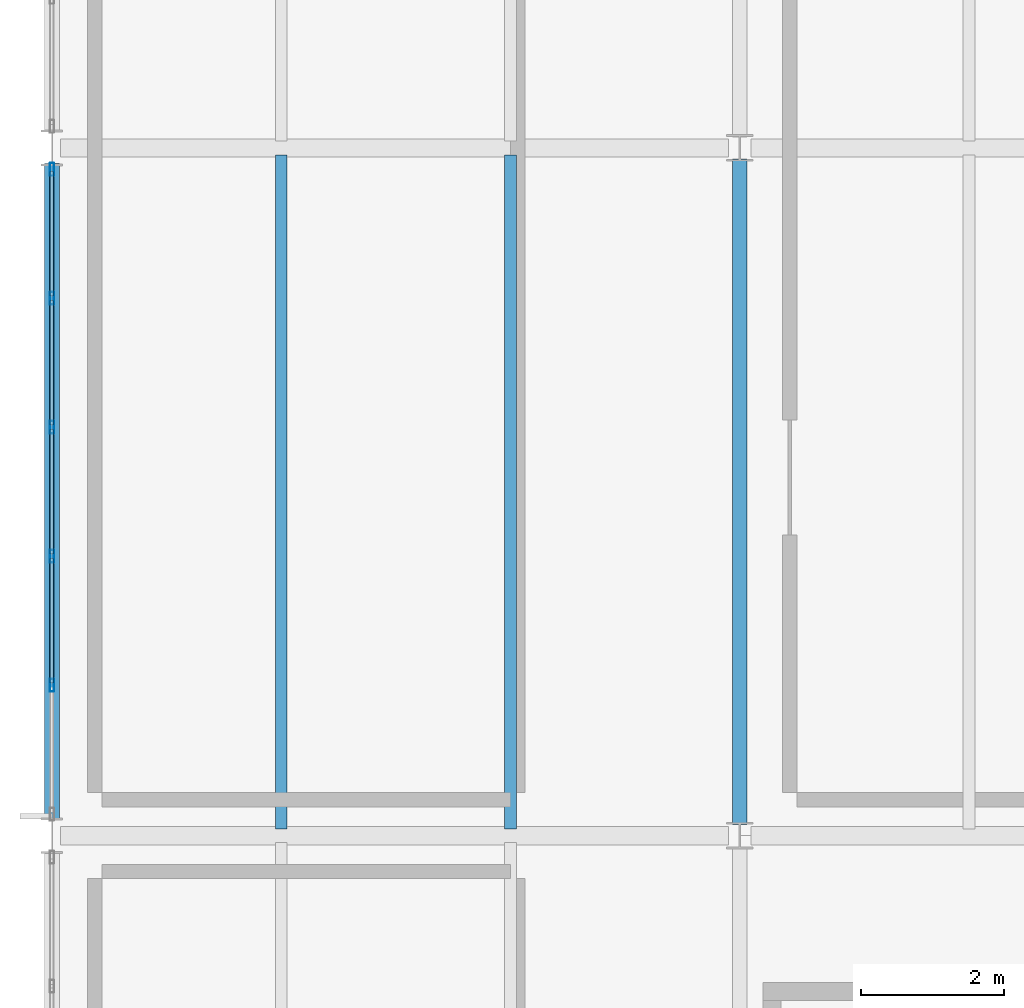
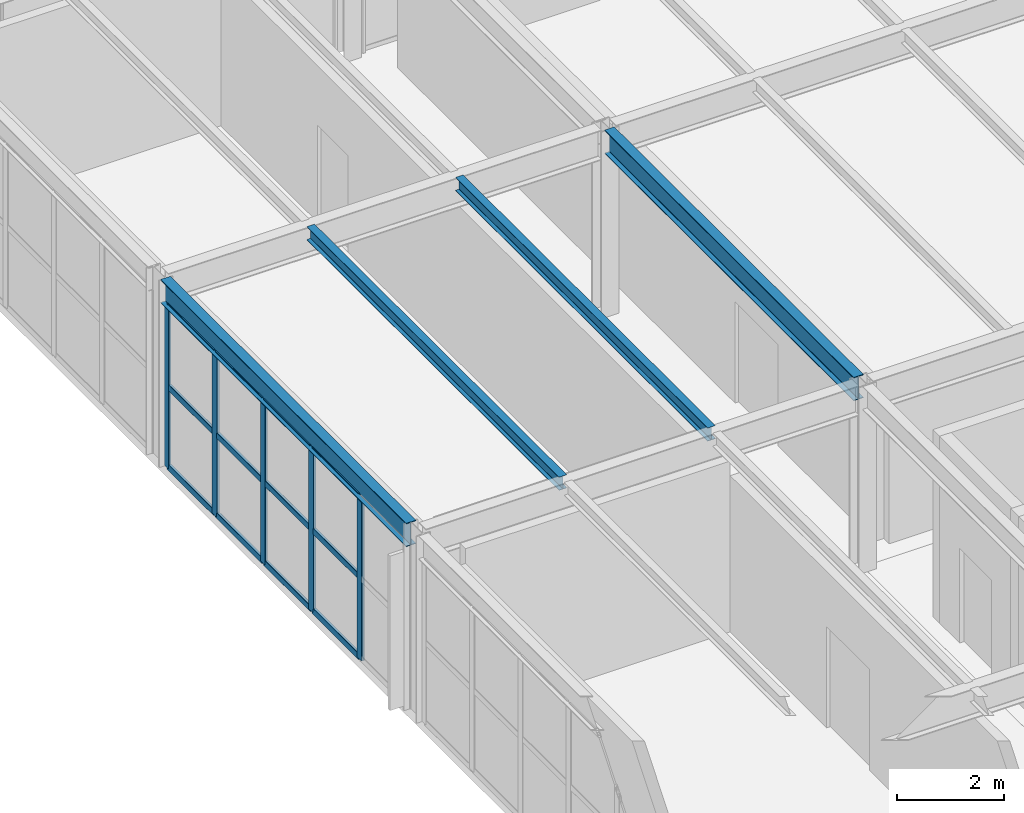
# One storey, part 40 of 170: 17 members, 4 beams, 1 element without a shape of its own.
"""IFC4 building model written with IfcOpenShell, lengths in metres."""

from ifc_helpers import new_model, si_unit, direction, frame, origin, origin_2d, place, context, subcontext, project, spatial, hollow_rectangle, i_section, extrude, material, material_profile, profile_set, type_object, element, aggregate, save


model = new_model("IFC4")

# Units and contexts
model_context = context("Model", 3, precision=1e-05, world=origin(), true_north=direction((0.0, 1.0)))
body_context = subcontext(model_context, "Body", "Model", "MODEL_VIEW")
ifc_project = project(units=[si_unit("LENGTHUNIT", "METRE"), si_unit("AREAUNIT", "SQUARE_METRE"), si_unit("VOLUMEUNIT", "CUBIC_METRE"), si_unit("PLANEANGLEUNIT", "RADIAN"), si_unit("MASSUNIT", "GRAM", prefix="KILO")], contexts=[model_context])

# Site, building, storey
site_placement = place(None, origin())
site = spatial("IfcSite", under=ifc_project, at=site_placement, CompositionType="ELEMENT")
building_placement = place(site_placement, origin())
building = spatial("IfcBuilding", under=site, at=building_placement, Name="Coralgate Yard Interchange", CompositionType="ELEMENT")
storey_placement = place(building_placement, frame((0.0, 0.0, 6.0)))
storey = spatial("IfcBuildingStorey", under=building, at=storey_placement, Name="L01", CompositionType="ELEMENT", Elevation=6.0)

# Beams
ifc_material_1 = material(Name="Structural steel S355J2", Category="steel")
ifc_material_profile_1 = material_profile(ifc_material_1, i_section(OverallWidth=0.209228515625, OverallDepth=0.533203125, WebThickness=0.010009765625, FlangeThickness=0.015625, FilletRadius=0.0126953125, at=origin_2d()), Name="UB 533x210x92")
ifc_profile_set_1 = profile_set([ifc_material_profile_1], Name="Structural steel S355J2")
beam_type_1 = type_object("IfcBeamType", Name="BM-SB-1", PredefinedType="BEAM", material=ifc_profile_set_1)
beam_1_placement = place(storey_placement, frame((0.0, 38.6201171875, 3.9833984375), z_axis=(0.0, 1.0, 0.0), x_axis=(-1.0, 0.0, 0.0)))
element("IfcBeam", 1, at=beam_1_placement, inside=storey, type_object=beam_type_1, Name="L01 primary grid girder X0 Y4-5", PredefinedType="BEAM", context=body_context, shape_type="SweptSolid", body=[
    extrude(i_section(OverallWidth=0.209228515625, OverallDepth=0.533203125, WebThickness=0.010009765625, FlangeThickness=0.015625, FilletRadius=0.0126953125, at=origin_2d()), origin(), (0.0, 0.0, 1.0), 9.159912109375),
])
beam_2_placement = place(storey_placement, frame((9.60009765625, 38.55419921875, 3.9833984375), z_axis=(0.0, 1.0, 0.0), x_axis=(-1.0, 0.0, 0.0)))
element("IfcBeam", 2, at=beam_2_placement, inside=storey, type_object=beam_type_1, Name="L01 primary grid girder X1 Y4-5", PredefinedType="BEAM", context=body_context, shape_type="SweptSolid", body=[
    extrude(i_section(OverallWidth=0.209228515625, OverallDepth=0.533203125, WebThickness=0.010009765625, FlangeThickness=0.015625, FilletRadius=0.0126953125, at=origin_2d()), origin(), (0.0, 0.0, 1.0), 9.291748046875),
])
ifc_material_profile_2 = material_profile(ifc_material_1, i_section(OverallWidth=0.1650390625, OverallDepth=0.303466796875, WebThickness=0.006103515625, FlangeThickness=0.01025390625, FilletRadius=0.0087890625, at=origin_2d()), Name="UB 305x165x40")
ifc_profile_set_2 = profile_set([ifc_material_profile_2], Name="Structural steel S355J2")
beam_type_2 = type_object("IfcBeamType", Name="BM-SJ-1", PredefinedType="JOIST", material=ifc_profile_set_2)
for number, where, z_axis, x_axis, name in (
    (3, (3.199951171875, 38.496826171875, 4.098388671875), (0.0, 1.0, 0.0), (-1.0, 0.0, 0.0), "L01 composite floor joist 0-4-1"),
    (4, (6.39990234375, 38.496826171875, 4.098388671875), (0.0, 1.0, 0.0), (-1.0, 0.0, 0.0), "L01 composite floor joist 0-4-2"),
):
    element("IfcBeam", number, at=place(storey_placement, frame(where, z_axis=z_axis, x_axis=x_axis)), inside=storey, type_object=beam_type_2, Name=name, PredefinedType="JOIST", context=body_context, shape_type="SweptSolid", body=[
        extrude(i_section(OverallWidth=0.1650390625, OverallDepth=0.303466796875, WebThickness=0.006103515625, FlangeThickness=0.01025390625, FilletRadius=0.0087890625, at=origin_2d()), origin(), (0.0, 0.0, 1.0), 9.40625),
    ])

# Curtain wall, members
ifc_material_2 = material(Name="Anodised coastal aluminium and solar-control low-E glass", Category="aluminium")
curtain_wall_type = type_object("IfcCurtainWallType", Name="CW-CW-L01-B", PredefinedType="NOTDEFINED", material=ifc_material_2)
curtain_wall_placement = place(storey_placement, origin())
curtain_wall = element("IfcCurtainWall", 5, at=curtain_wall_placement, inside=storey, type_object=curtain_wall_type, Name="L01 unitised curtain wall CW-L01-W-00-04", PredefinedType="NOTDEFINED")
ifc_material_3 = material(Name="Anodised coastal aluminium 6063-T6", Category="aluminium")
ifc_material_profile_3 = material_profile(ifc_material_3, hollow_rectangle(XDim=0.06005859375, YDim=0.179931640625, WallThickness=0.00390625, InnerFilletRadius=0.00390625, OuterFilletRadius=0.008056640625, at=origin_2d()), Name="ALU 60x180x4")
ifc_profile_set_3 = profile_set([ifc_material_profile_3], Name="Anodised coastal aluminium 6063-T6")
member_type_1 = type_object("IfcMemberType", Name="MB-MUL-180", PredefinedType="MULLION", material=ifc_profile_set_3)
member_1_placement = place(storey_placement, frame((0.0, 40.5, 0.0), z_axis=(0.0, 0.0, 1.0), x_axis=(1.0, 0.0, 0.0)))
member_1 = element("IfcMember", 6, at=member_1_placement, type_object=member_type_1, Name="CW-L01-W-00-04 vertical mullion 2", PredefinedType="MULLION", context=body_context, shape_type="SweptSolid", body=[
    extrude(hollow_rectangle(XDim=0.06005859375, YDim=0.179931640625, WallThickness=0.00390625, InnerFilletRadius=0.00390625, OuterFilletRadius=0.008056640625, at=origin_2d()), origin(), (0.0, 0.0, 1.0), 3.716796875),
])
member_2_placement = place(storey_placement, frame((0.0, 42.300048828125, 0.0), z_axis=(0.0, 0.0, 1.0), x_axis=(1.0, 0.0, 0.0)))
member_2 = element("IfcMember", 7, at=member_2_placement, type_object=member_type_1, Name="CW-L01-W-00-04 vertical mullion 3", PredefinedType="MULLION", context=body_context, shape_type="SweptSolid", body=[
    extrude(hollow_rectangle(XDim=0.06005859375, YDim=0.179931640625, WallThickness=0.00390625, InnerFilletRadius=0.00390625, OuterFilletRadius=0.008056640625, at=origin_2d()), origin(), (0.0, 0.0, 1.0), 3.716796875),
])
member_3_placement = place(storey_placement, frame((0.0, 44.10009765625, 0.0), z_axis=(0.0, 0.0, 1.0), x_axis=(1.0, 0.0, 0.0)))
member_3 = element("IfcMember", 8, at=member_3_placement, type_object=member_type_1, Name="CW-L01-W-00-04 vertical mullion 4", PredefinedType="MULLION", context=body_context, shape_type="SweptSolid", body=[
    extrude(hollow_rectangle(XDim=0.06005859375, YDim=0.179931640625, WallThickness=0.00390625, InnerFilletRadius=0.00390625, OuterFilletRadius=0.008056640625, at=origin_2d()), origin(), (0.0, 0.0, 1.0), 3.716796875),
])
member_4_placement = place(storey_placement, frame((0.0, 45.89990234375, 0.0), z_axis=(0.0, 0.0, 1.0), x_axis=(1.0, 0.0, 0.0)))
member_4 = element("IfcMember", 9, at=member_4_placement, type_object=member_type_1, Name="CW-L01-W-00-04 vertical mullion 5", PredefinedType="MULLION", context=body_context, shape_type="SweptSolid", body=[
    extrude(hollow_rectangle(XDim=0.06005859375, YDim=0.179931640625, WallThickness=0.00390625, InnerFilletRadius=0.00390625, OuterFilletRadius=0.008056640625, at=origin_2d()), origin(), (0.0, 0.0, 1.0), 3.716796875),
])
member_5_placement = place(storey_placement, frame((0.0, 47.699951171875, 0.0), z_axis=(0.0, 0.0, 1.0), x_axis=(1.0, 0.0, 0.0)))
member_5 = element("IfcMember", 10, at=member_5_placement, type_object=member_type_1, Name="CW-L01-W-00-04 vertical mullion 6", PredefinedType="MULLION", context=body_context, shape_type="SweptSolid", body=[
    extrude(hollow_rectangle(XDim=0.06005859375, YDim=0.179931640625, WallThickness=0.00390625, InnerFilletRadius=0.00390625, OuterFilletRadius=0.008056640625, at=origin_2d()), origin(), (0.0, 0.0, 1.0), 3.716796875),
])
ifc_material_profile_4 = material_profile(ifc_material_3, hollow_rectangle(XDim=0.06005859375, YDim=0.139892578125, WallThickness=0.00341796875, InnerFilletRadius=0.00341796875, OuterFilletRadius=0.007080078125, at=origin_2d()), Name="ALU 60x140x3.5")
ifc_profile_set_4 = profile_set([ifc_material_profile_4], Name="Anodised coastal aluminium 6063-T6")
member_type_2 = type_object("IfcMemberType", Name="MB-TRN-140", PredefinedType="USERDEFINED", material=ifc_profile_set_4)
member_6_placement = place(storey_placement, frame((0.0, 40.530029296875, 0.034912109375), z_axis=(0.0, 1.0, 0.0), x_axis=(-1.0, 0.0, 0.0)))
member_6 = element("IfcMember", 11, at=member_6_placement, type_object=member_type_2, Name="CW-L01-W-00-04 horizontal transom 2-1", ObjectType="TRANSOM", PredefinedType="USERDEFINED", context=body_context, shape_type="SweptSolid", body=[
    extrude(hollow_rectangle(XDim=0.06005859375, YDim=0.139892578125, WallThickness=0.00341796875, InnerFilletRadius=0.00341796875, OuterFilletRadius=0.007080078125, at=origin_2d()), origin(), (0.0, 0.0, 1.0), 1.739990234375),
])
member_7_placement = place(storey_placement, frame((0.0, 40.530029296875, 1.8583984375), z_axis=(0.0, 1.0, 0.0), x_axis=(-1.0, 0.0, 0.0)))
member_7 = element("IfcMember", 12, at=member_7_placement, type_object=member_type_2, Name="CW-L01-W-00-04 horizontal transom 2-2", ObjectType="TRANSOM", PredefinedType="USERDEFINED", context=body_context, shape_type="SweptSolid", body=[
    extrude(hollow_rectangle(XDim=0.06005859375, YDim=0.139892578125, WallThickness=0.00341796875, InnerFilletRadius=0.00341796875, OuterFilletRadius=0.007080078125, at=origin_2d()), origin(), (0.0, 0.0, 1.0), 1.739990234375),
])
member_8_placement = place(storey_placement, frame((0.0, 40.530029296875, 3.681884765625), z_axis=(0.0, 1.0, 0.0), x_axis=(-1.0, 0.0, 0.0)))
member_8 = element("IfcMember", 13, at=member_8_placement, type_object=member_type_2, Name="CW-L01-W-00-04 horizontal transom 2-3", ObjectType="TRANSOM", PredefinedType="USERDEFINED", context=body_context, shape_type="SweptSolid", body=[
    extrude(hollow_rectangle(XDim=0.06005859375, YDim=0.139892578125, WallThickness=0.00341796875, InnerFilletRadius=0.00341796875, OuterFilletRadius=0.007080078125, at=origin_2d()), origin(), (0.0, 0.0, 1.0), 1.739990234375),
])
member_9_placement = place(storey_placement, frame((0.0, 42.330078125, 0.034912109375), z_axis=(0.0, 1.0, 0.0), x_axis=(-1.0, 0.0, 0.0)))
member_9 = element("IfcMember", 14, at=member_9_placement, type_object=member_type_2, Name="CW-L01-W-00-04 horizontal transom 3-1", ObjectType="TRANSOM", PredefinedType="USERDEFINED", context=body_context, shape_type="SweptSolid", body=[
    extrude(hollow_rectangle(XDim=0.06005859375, YDim=0.139892578125, WallThickness=0.00341796875, InnerFilletRadius=0.00341796875, OuterFilletRadius=0.007080078125, at=origin_2d()), origin(), (0.0, 0.0, 1.0), 1.739990234375),
])
member_10_placement = place(storey_placement, frame((0.0, 42.330078125, 1.8583984375), z_axis=(0.0, 1.0, 0.0), x_axis=(-1.0, 0.0, 0.0)))
member_10 = element("IfcMember", 15, at=member_10_placement, type_object=member_type_2, Name="CW-L01-W-00-04 horizontal transom 3-2", ObjectType="TRANSOM", PredefinedType="USERDEFINED", context=body_context, shape_type="SweptSolid", body=[
    extrude(hollow_rectangle(XDim=0.06005859375, YDim=0.139892578125, WallThickness=0.00341796875, InnerFilletRadius=0.00341796875, OuterFilletRadius=0.007080078125, at=origin_2d()), origin(), (0.0, 0.0, 1.0), 1.739990234375),
])
member_11_placement = place(storey_placement, frame((0.0, 42.330078125, 3.681884765625), z_axis=(0.0, 1.0, 0.0), x_axis=(-1.0, 0.0, 0.0)))
member_11 = element("IfcMember", 16, at=member_11_placement, type_object=member_type_2, Name="CW-L01-W-00-04 horizontal transom 3-3", ObjectType="TRANSOM", PredefinedType="USERDEFINED", context=body_context, shape_type="SweptSolid", body=[
    extrude(hollow_rectangle(XDim=0.06005859375, YDim=0.139892578125, WallThickness=0.00341796875, InnerFilletRadius=0.00341796875, OuterFilletRadius=0.007080078125, at=origin_2d()), origin(), (0.0, 0.0, 1.0), 1.739990234375),
])
member_12_placement = place(storey_placement, frame((0.0, 44.1298828125, 0.034912109375), z_axis=(0.0, 1.0, 0.0), x_axis=(-1.0, 0.0, 0.0)))
member_12 = element("IfcMember", 17, at=member_12_placement, type_object=member_type_2, Name="CW-L01-W-00-04 horizontal transom 4-1", ObjectType="TRANSOM", PredefinedType="USERDEFINED", context=body_context, shape_type="SweptSolid", body=[
    extrude(hollow_rectangle(XDim=0.06005859375, YDim=0.139892578125, WallThickness=0.00341796875, InnerFilletRadius=0.00341796875, OuterFilletRadius=0.007080078125, at=origin_2d()), origin(), (0.0, 0.0, 1.0), 1.740234375),
])
member_13_placement = place(storey_placement, frame((0.0, 44.1298828125, 1.8583984375), z_axis=(0.0, 1.0, 0.0), x_axis=(-1.0, 0.0, 0.0)))
member_13 = element("IfcMember", 18, at=member_13_placement, type_object=member_type_2, Name="CW-L01-W-00-04 horizontal transom 4-2", ObjectType="TRANSOM", PredefinedType="USERDEFINED", context=body_context, shape_type="SweptSolid", body=[
    extrude(hollow_rectangle(XDim=0.06005859375, YDim=0.139892578125, WallThickness=0.00341796875, InnerFilletRadius=0.00341796875, OuterFilletRadius=0.007080078125, at=origin_2d()), origin(), (0.0, 0.0, 1.0), 1.740234375),
])
member_14_placement = place(storey_placement, frame((0.0, 44.1298828125, 3.681884765625), z_axis=(0.0, 1.0, 0.0), x_axis=(-1.0, 0.0, 0.0)))
member_14 = element("IfcMember", 19, at=member_14_placement, type_object=member_type_2, Name="CW-L01-W-00-04 horizontal transom 4-3", ObjectType="TRANSOM", PredefinedType="USERDEFINED", context=body_context, shape_type="SweptSolid", body=[
    extrude(hollow_rectangle(XDim=0.06005859375, YDim=0.139892578125, WallThickness=0.00341796875, InnerFilletRadius=0.00341796875, OuterFilletRadius=0.007080078125, at=origin_2d()), origin(), (0.0, 0.0, 1.0), 1.740234375),
])
member_15_placement = place(storey_placement, frame((0.0, 45.929931640625, 0.034912109375), z_axis=(0.0, 1.0, 0.0), x_axis=(-1.0, 0.0, 0.0)))
member_15 = element("IfcMember", 20, at=member_15_placement, type_object=member_type_2, Name="CW-L01-W-00-04 horizontal transom 5-1", ObjectType="TRANSOM", PredefinedType="USERDEFINED", context=body_context, shape_type="SweptSolid", body=[
    extrude(hollow_rectangle(XDim=0.06005859375, YDim=0.139892578125, WallThickness=0.00341796875, InnerFilletRadius=0.00341796875, OuterFilletRadius=0.007080078125, at=origin_2d()), origin(), (0.0, 0.0, 1.0), 1.739990234375),
])
member_16_placement = place(storey_placement, frame((0.0, 45.929931640625, 1.8583984375), z_axis=(0.0, 1.0, 0.0), x_axis=(-1.0, 0.0, 0.0)))
member_16 = element("IfcMember", 21, at=member_16_placement, type_object=member_type_2, Name="CW-L01-W-00-04 horizontal transom 5-2", ObjectType="TRANSOM", PredefinedType="USERDEFINED", context=body_context, shape_type="SweptSolid", body=[
    extrude(hollow_rectangle(XDim=0.06005859375, YDim=0.139892578125, WallThickness=0.00341796875, InnerFilletRadius=0.00341796875, OuterFilletRadius=0.007080078125, at=origin_2d()), origin(), (0.0, 0.0, 1.0), 1.739990234375),
])
member_17_placement = place(storey_placement, frame((0.0, 45.929931640625, 3.681884765625), z_axis=(0.0, 1.0, 0.0), x_axis=(-1.0, 0.0, 0.0)))
member_17 = element("IfcMember", 22, at=member_17_placement, type_object=member_type_2, Name="CW-L01-W-00-04 horizontal transom 5-3", ObjectType="TRANSOM", PredefinedType="USERDEFINED", context=body_context, shape_type="SweptSolid", body=[
    extrude(hollow_rectangle(XDim=0.06005859375, YDim=0.139892578125, WallThickness=0.00341796875, InnerFilletRadius=0.00341796875, OuterFilletRadius=0.007080078125, at=origin_2d()), origin(), (0.0, 0.0, 1.0), 1.739990234375),
])
aggregate(curtain_wall, [member_1, member_2, member_3, member_4, member_5, member_6, member_7, member_8, member_9, member_10, member_11, member_12, member_13, member_14, member_15, member_16, member_17])

save(model, "model.ifc")
